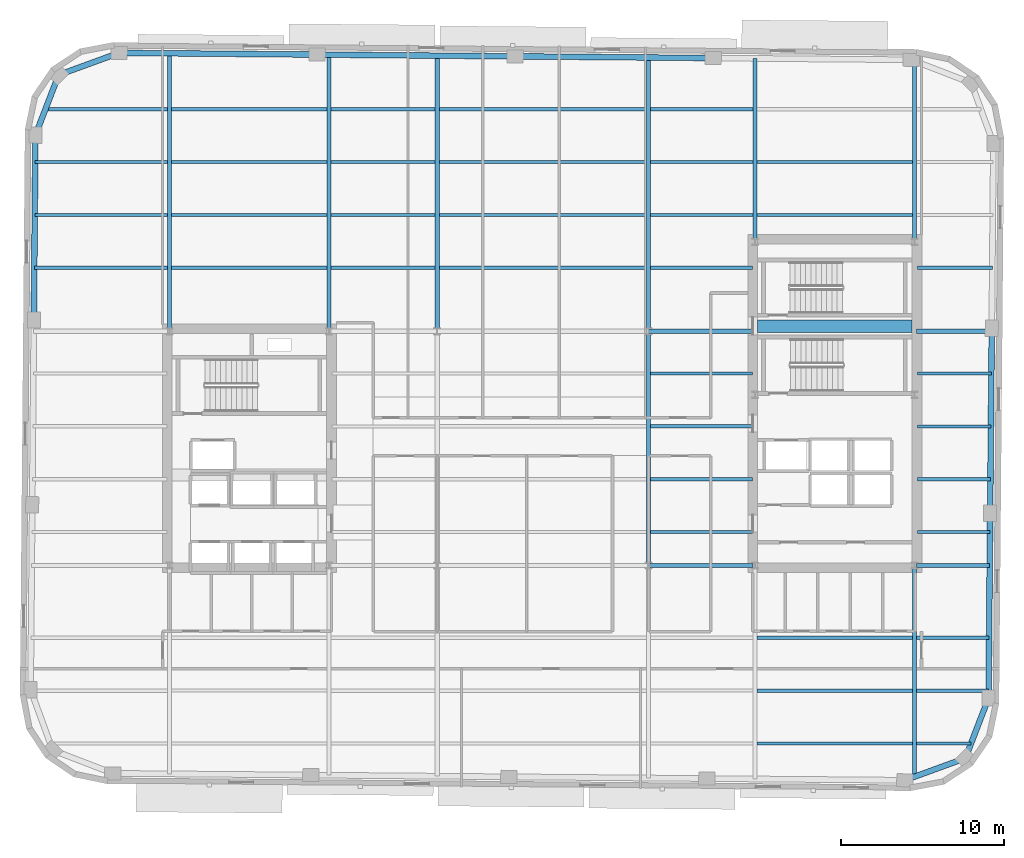
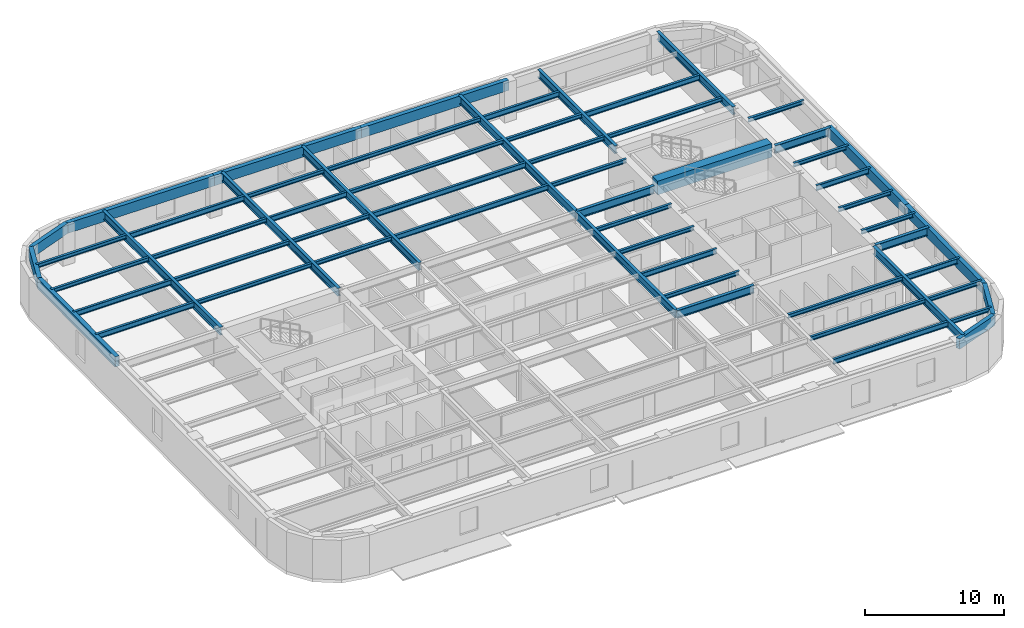
# One storey, part 2 of 11: 60 beams.
"""IFC4 building model written with IfcOpenShell, lengths in metres."""

from ifc_helpers import new_model, si_unit, direction, frame, origin, origin_2d, place, context, subcontext, project, spatial, rectangle, hollow_rectangle, i_section, extrude, material, material_profile, profile_set, type_object, element, save


model = new_model("IFC4")

# Units and contexts
model_context = context("Model", 3, precision=1e-05, world=origin(), true_north=direction((0.0, 1.0)))
body_context = subcontext(model_context, "Body", "Model", "MODEL_VIEW")
ifc_project = project(units=[si_unit("LENGTHUNIT", "METRE"), si_unit("AREAUNIT", "SQUARE_METRE"), si_unit("VOLUMEUNIT", "CUBIC_METRE"), si_unit("PLANEANGLEUNIT", "RADIAN"), si_unit("MASSUNIT", "GRAM", prefix="KILO")], contexts=[model_context])

# Site, building, storey
site_placement = place(None, origin())
site = spatial("IfcSite", under=ifc_project, at=site_placement, CompositionType="ELEMENT")
building_placement = place(site_placement, origin())
building = spatial("IfcBuilding", under=site, at=building_placement, Name="Kolvaren Arena Tower", CompositionType="ELEMENT")
storey_placement = place(building_placement, frame((0.0, 0.0, 184.699951171875)))
storey = spatial("IfcBuildingStorey", under=building, at=storey_placement, Name="L44", CompositionType="ELEMENT", Elevation=184.699951171875)

# Beams
ifc_material_1 = material(Name="Steel CSA G40.21 350W", Category="steel")
ifc_material_profile_1 = material_profile(ifc_material_1, i_section(OverallWidth=0.193115234375, OverallDepth=0.462890625, WebThickness=0.0107421875, FlangeThickness=0.0205078125, FilletRadius=0.012939453125, at=origin_2d()), Name="W460x113")
ifc_profile_set_1 = profile_set([ifc_material_profile_1], Name="Steel CSA G40.21 350W")
beam_type_1 = type_object("IfcBeamType", Name="BEAM-F2", PredefinedType="BEAM", material=ifc_profile_set_1)
beam_1_placement = place(storey_placement, frame((50.677490234375, 8.5, 3.24853515625), z_axis=(1.0, 0.0, 0.0), x_axis=(0.0, 1.0, 0.0)))
element("IfcBeam", 1, at=beam_1_placement, inside=storey, type_object=beam_type_1, Name="Composite Floor Beam (L44)", PredefinedType="BEAM", context=body_context, shape_type="SweptSolid", body=[
    extrude(i_section(OverallWidth=0.193115234375, OverallDepth=0.462890625, WebThickness=0.0107421875, FlangeThickness=0.0205078125, FilletRadius=0.012939453125, at=origin_2d()), origin(), (0.0, 0.0, 1.0), 9.544921875),
])
beam_2_placement = place(storey_placement, frame((60.4775390625, 15.0, 3.24853515625), z_axis=(1.0, 0.0, 0.0), x_axis=(0.0, 1.0, 0.0)))
element("IfcBeam", 2, at=beam_2_placement, inside=storey, type_object=beam_type_1, Name="Composite Floor Beam (L44)", PredefinedType="BEAM", context=body_context, shape_type="SweptSolid", body=[
    extrude(i_section(OverallWidth=0.193115234375, OverallDepth=0.462890625, WebThickness=0.0107421875, FlangeThickness=0.0205078125, FilletRadius=0.012939453125, at=origin_2d()), origin(), (0.0, 0.0, 1.0), 4.454833984375),
])
beam_3_placement = place(storey_placement, frame((44.12744140625, 24.75, 3.24853515625), z_axis=(1.0, 0.0, 0.0), x_axis=(0.0, 1.0, 0.0)))
element("IfcBeam", 3, at=beam_3_placement, inside=storey, type_object=beam_type_1, Name="Composite Floor Beam (L44)", PredefinedType="BEAM", context=body_context, shape_type="SweptSolid", body=[
    extrude(i_section(OverallWidth=0.193115234375, OverallDepth=0.462890625, WebThickness=0.0107421875, FlangeThickness=0.0205078125, FilletRadius=0.012939453125, at=origin_2d()), origin(), (0.0, 0.0, 1.0), 6.25244140625),
])
beam_4_placement = place(storey_placement, frame((60.52001953125, 28.0, 3.24853515625), z_axis=(1.0, 0.0, 0.0), x_axis=(0.0, 1.0, 0.0)))
element("IfcBeam", 4, at=beam_4_placement, inside=storey, type_object=beam_type_1, Name="Composite Floor Beam (L44)", PredefinedType="BEAM", context=body_context, shape_type="SweptSolid", body=[
    extrude(i_section(OverallWidth=0.193115234375, OverallDepth=0.462890625, WebThickness=0.0107421875, FlangeThickness=0.0205078125, FilletRadius=0.012939453125, at=origin_2d()), origin(), (0.0, 0.0, 1.0), 4.52587890625),
])
beam_5_placement = place(storey_placement, frame((6.228759765625, 37.75, 3.24853515625), z_axis=(1.0, 0.0, 0.0), x_axis=(0.0, 1.0, 0.0)))
element("IfcBeam", 5, at=beam_5_placement, inside=storey, type_object=beam_type_1, Name="Composite Floor Beam (L44)", PredefinedType="BEAM", context=body_context, shape_type="SweptSolid", body=[
    extrude(i_section(OverallWidth=0.193115234375, OverallDepth=0.462890625, WebThickness=0.0107421875, FlangeThickness=0.0205078125, FilletRadius=0.012939453125, at=origin_2d()), origin(), (0.0, 0.0, 1.0), 8.19384765625),
])
beam_6_placement = place(storey_placement, frame((31.12744140625, 37.75, 3.24853515625), z_axis=(1.0, 0.0, 0.0), x_axis=(0.0, 1.0, 0.0)))
element("IfcBeam", 6, at=beam_6_placement, inside=storey, type_object=beam_type_1, Name="Composite Floor Beam (L44)", PredefinedType="BEAM", context=body_context, shape_type="SweptSolid", body=[
    extrude(i_section(OverallWidth=0.193115234375, OverallDepth=0.462890625, WebThickness=0.0107421875, FlangeThickness=0.0205078125, FilletRadius=0.012939453125, at=origin_2d()), origin(), (0.0, 0.0, 1.0), 12.7451171875),
])
beam_7_placement = place(storey_placement, frame((6.257080078125, 41.0, 3.24853515625), z_axis=(1.0, 0.0, 0.0), x_axis=(0.0, 1.0, 0.0)))
element("IfcBeam", 7, at=beam_7_placement, inside=storey, type_object=beam_type_1, Name="Composite Floor Beam (L44)", PredefinedType="BEAM", context=body_context, shape_type="SweptSolid", body=[
    extrude(i_section(OverallWidth=0.193115234375, OverallDepth=0.462890625, WebThickness=0.0107421875, FlangeThickness=0.0205078125, FilletRadius=0.012939453125, at=origin_2d()), origin(), (0.0, 0.0, 1.0), 8.16552734375),
])
beam_8_placement = place(storey_placement, frame((31.12744140625, 41.0, 3.24853515625), z_axis=(1.0, 0.0, 0.0), x_axis=(0.0, 1.0, 0.0)))
element("IfcBeam", 8, at=beam_8_placement, inside=storey, type_object=beam_type_1, Name="Composite Floor Beam (L44)", PredefinedType="BEAM", context=body_context, shape_type="SweptSolid", body=[
    extrude(i_section(OverallWidth=0.193115234375, OverallDepth=0.462890625, WebThickness=0.0107421875, FlangeThickness=0.0205078125, FilletRadius=0.012939453125, at=origin_2d()), origin(), (0.0, 0.0, 1.0), 12.7451171875),
])
beam_9_placement = place(storey_placement, frame((24.4775390625, 44.25, 3.24853515625), z_axis=(1.0, 0.0, 0.0), x_axis=(0.0, 1.0, 0.0)))
element("IfcBeam", 9, at=beam_9_placement, inside=storey, type_object=beam_type_1, Name="Composite Floor Beam (L44)", PredefinedType="BEAM", context=body_context, shape_type="SweptSolid", body=[
    extrude(i_section(OverallWidth=0.193115234375, OverallDepth=0.462890625, WebThickness=0.0107421875, FlangeThickness=0.0205078125, FilletRadius=0.012939453125, at=origin_2d()), origin(), (0.0, 0.0, 1.0), 6.39501953125),
])
for number, where, z_axis, x_axis, name in (
    (10, (50.677490234375, 44.25, 3.24853515625), (1.0, 0.0, 0.0), (0.0, 1.0, 0.0), "Composite Floor Beam (L44)"),
    (11, (14.677490234375, 47.5, 3.24853515625), (1.0, 0.0, 0.0), (0.0, 1.0, 0.0), "Composite Floor Beam (L44)"),
):
    element("IfcBeam", number, at=place(storey_placement, frame(where, z_axis=z_axis, x_axis=x_axis)), inside=storey, type_object=beam_type_1, Name=name, PredefinedType="BEAM", context=body_context, shape_type="SweptSolid", body=[
        extrude(i_section(OverallWidth=0.193115234375, OverallDepth=0.462890625, WebThickness=0.0107421875, FlangeThickness=0.0205078125, FilletRadius=0.012939453125, at=origin_2d()), origin(), (0.0, 0.0, 1.0), 9.544921875),
    ])
beam_10_placement = place(storey_placement, frame((44.12744140625, 47.5, 3.24853515625), z_axis=(1.0, 0.0, 0.0), x_axis=(0.0, 1.0, 0.0)))
element("IfcBeam", 12, at=beam_10_placement, inside=storey, type_object=beam_type_1, Name="Composite Floor Beam (L44)", PredefinedType="BEAM", context=body_context, shape_type="SweptSolid", body=[
    extrude(i_section(OverallWidth=0.193115234375, OverallDepth=0.462890625, WebThickness=0.0107421875, FlangeThickness=0.0205078125, FilletRadius=0.012939453125, at=origin_2d()), origin(), (0.0, 0.0, 1.0), 6.295166015625),
])
ifc_material_2 = material(Name="Concrete 60 MPa", Category="concrete")
ifc_material_profile_2 = material_profile(ifc_material_2, rectangle(XDim=0.75, YDim=1.199951171875, at=origin_2d()), Name="RC-750x1200")
ifc_profile_set_2 = profile_set([ifc_material_profile_2], Name="Concrete 60 MPa")
beam_type_2 = type_object("IfcBeamType", Name="CB-CORE-2", PredefinedType="BEAM", material=ifc_profile_set_2)
beam_11_placement = place(storey_placement, frame((50.699951171875, 34.14990234375, 3.150146484375), z_axis=(1.0, 0.0, 0.0), x_axis=(0.0, 1.0, 0.0)))
element("IfcBeam", 13, at=beam_11_placement, inside=storey, type_object=beam_type_2, Name="East Core Coupling Beam (L44)", PredefinedType="BEAM", context=body_context, shape_type="SweptSolid", body=[
    extrude(rectangle(XDim=0.75, YDim=1.199951171875, at=origin_2d()), origin(), (0.0, 0.0, 1.0), 9.5),
])
ifc_material_profile_3 = material_profile(ifc_material_1, i_section(OverallWidth=0.2548828125, OverallDepth=0.695068359375, WebThickness=0.01708984375, FlangeThickness=0.02978515625, FilletRadius=0.01611328125, at=origin_2d()), Name="W690x217")
ifc_profile_set_3 = profile_set([ifc_material_profile_3], Name="Steel CSA G40.21 350W")
beam_type_3 = type_object("IfcBeamType", Name="GIRD-T2", PredefinedType="BEAM", material=ifc_profile_set_3)
beam_12_placement = place(storey_placement, frame((44.0, 19.449951171875, 3.132568359375), z_axis=(1.0, 0.0, 0.0), x_axis=(0.0, 1.0, 0.0)))
element("IfcBeam", 14, at=beam_12_placement, inside=storey, type_object=beam_type_3, Name="Primary Floor Girder (L44)", PredefinedType="BEAM", context=body_context, shape_type="SweptSolid", body=[
    extrude(i_section(OverallWidth=0.2548828125, OverallDepth=0.695068359375, WebThickness=0.01708984375, FlangeThickness=0.02978515625, FilletRadius=0.01611328125, at=origin_2d()), origin(), (0.0, 0.0, 1.0), 6.419921875),
])
beam_13_placement = place(storey_placement, frame((60.47998046875, 19.449951171875, 3.132568359375), z_axis=(1.0, 0.0, 0.0), x_axis=(0.0, 1.0, 0.0)))
element("IfcBeam", 15, at=beam_13_placement, inside=storey, type_object=beam_type_3, Name="Primary Floor Girder (L44)", PredefinedType="BEAM", context=body_context, shape_type="SweptSolid", body=[
    extrude(i_section(OverallWidth=0.2548828125, OverallDepth=0.695068359375, WebThickness=0.01708984375, FlangeThickness=0.02978515625, FilletRadius=0.01611328125, at=origin_2d()), origin(), (0.0, 0.0, 1.0), 4.4912109375),
])
beam_14_placement = place(storey_placement, frame((44.0, 33.85009765625, 3.132568359375), z_axis=(1.0, 0.0, 0.0), x_axis=(0.0, 1.0, 0.0)))
element("IfcBeam", 16, at=beam_14_placement, inside=storey, type_object=beam_type_3, Name="Primary Floor Girder (L44)", PredefinedType="BEAM", context=body_context, shape_type="SweptSolid", body=[
    extrude(i_section(OverallWidth=0.2548828125, OverallDepth=0.695068359375, WebThickness=0.01708984375, FlangeThickness=0.02978515625, FilletRadius=0.01611328125, at=origin_2d()), origin(), (0.0, 0.0, 1.0), 6.419921875),
])
beam_15_placement = place(storey_placement, frame((60.47998046875, 33.85009765625, 3.132568359375), z_axis=(1.0, 0.0, 0.0), x_axis=(0.0, 1.0, 0.0)))
element("IfcBeam", 17, at=beam_15_placement, inside=storey, type_object=beam_type_3, Name="Primary Floor Girder (L44)", PredefinedType="BEAM", context=body_context, shape_type="SweptSolid", body=[
    extrude(i_section(OverallWidth=0.2548828125, OverallDepth=0.695068359375, WebThickness=0.01708984375, FlangeThickness=0.02978515625, FilletRadius=0.01611328125, at=origin_2d()), origin(), (0.0, 0.0, 1.0), 4.616943359375),
])
beam_16_placement = place(storey_placement, frame((14.550048828125, 33.97998046875, 3.132568359375), z_axis=(0.0, 1.0, 0.0), x_axis=(-1.0, 0.0, 0.0)))
element("IfcBeam", 18, at=beam_16_placement, inside=storey, type_object=beam_type_3, Name="Primary Floor Girder (L44)", PredefinedType="BEAM", context=body_context, shape_type="SweptSolid", body=[
    extrude(i_section(OverallWidth=0.2548828125, OverallDepth=0.695068359375, WebThickness=0.01708984375, FlangeThickness=0.02978515625, FilletRadius=0.01611328125, at=origin_2d()), origin(), (0.0, 0.0, 1.0), 16.95458984375),
])
beam_17_placement = place(storey_placement, frame((24.35009765625, 33.97998046875, 3.132568359375), z_axis=(0.0, 1.0, 0.0), x_axis=(-1.0, 0.0, 0.0)))
element("IfcBeam", 19, at=beam_17_placement, inside=storey, type_object=beam_type_3, Name="Primary Floor Girder (L44)", PredefinedType="BEAM", context=body_context, shape_type="SweptSolid", body=[
    extrude(i_section(OverallWidth=0.2548828125, OverallDepth=0.695068359375, WebThickness=0.01708984375, FlangeThickness=0.02978515625, FilletRadius=0.01611328125, at=origin_2d()), origin(), (0.0, 0.0, 1.0), 16.869140625),
])
beam_18_placement = place(storey_placement, frame((31.0, 33.85009765625, 3.132568359375), z_axis=(0.0, 1.0, 0.0), x_axis=(-1.0, 0.0, 0.0)))
element("IfcBeam", 20, at=beam_18_placement, inside=storey, type_object=beam_type_3, Name="Primary Floor Girder (L44)", PredefinedType="BEAM", context=body_context, shape_type="SweptSolid", body=[
    extrude(i_section(OverallWidth=0.2548828125, OverallDepth=0.695068359375, WebThickness=0.01708984375, FlangeThickness=0.02978515625, FilletRadius=0.01611328125, at=origin_2d()), origin(), (0.0, 0.0, 1.0), 16.94091796875),
])
beam_19_placement = place(storey_placement, frame((44.0, 19.449951171875, 3.132568359375), z_axis=(0.0, 1.0, 0.0), x_axis=(-1.0, 0.0, 0.0)))
element("IfcBeam", 21, at=beam_19_placement, inside=storey, type_object=beam_type_3, Name="Primary Floor Girder (L44)", PredefinedType="BEAM", context=body_context, shape_type="SweptSolid", body=[
    extrude(i_section(OverallWidth=0.2548828125, OverallDepth=0.695068359375, WebThickness=0.01708984375, FlangeThickness=0.02978515625, FilletRadius=0.01611328125, at=origin_2d()), origin(), (0.0, 0.0, 1.0), 14.400146484375),
])
beam_20_placement = place(storey_placement, frame((44.0, 33.85009765625, 3.132568359375), z_axis=(0.0, 1.0, 0.0), x_axis=(-1.0, 0.0, 0.0)))
element("IfcBeam", 22, at=beam_20_placement, inside=storey, type_object=beam_type_3, Name="Primary Floor Girder (L44)", PredefinedType="BEAM", context=body_context, shape_type="SweptSolid", body=[
    extrude(i_section(OverallWidth=0.2548828125, OverallDepth=0.695068359375, WebThickness=0.01708984375, FlangeThickness=0.02978515625, FilletRadius=0.01611328125, at=origin_2d()), origin(), (0.0, 0.0, 1.0), 16.827392578125),
])
beam_21_placement = place(storey_placement, frame((50.550048828125, 39.47998046875, 3.132568359375), z_axis=(0.0, 1.0, 0.0), x_axis=(-1.0, 0.0, 0.0)))
element("IfcBeam", 23, at=beam_21_placement, inside=storey, type_object=beam_type_3, Name="Primary Floor Girder (L44)", PredefinedType="BEAM", context=body_context, shape_type="SweptSolid", body=[
    extrude(i_section(OverallWidth=0.2548828125, OverallDepth=0.695068359375, WebThickness=0.01708984375, FlangeThickness=0.02978515625, FilletRadius=0.01611328125, at=origin_2d()), origin(), (0.0, 0.0, 1.0), 11.140380859375),
])
beam_22_placement = place(storey_placement, frame((60.35009765625, 6.455322265625, 3.132568359375), z_axis=(0.0, 1.0, 0.0), x_axis=(-1.0, 0.0, 0.0)))
element("IfcBeam", 24, at=beam_22_placement, inside=storey, type_object=beam_type_3, Name="Primary Floor Girder (L44)", PredefinedType="BEAM", context=body_context, shape_type="SweptSolid", body=[
    extrude(i_section(OverallWidth=0.2548828125, OverallDepth=0.695068359375, WebThickness=0.01708984375, FlangeThickness=0.02978515625, FilletRadius=0.01611328125, at=origin_2d()), origin(), (0.0, 0.0, 1.0), 12.86474609375),
])
beam_23_placement = place(storey_placement, frame((60.35009765625, 39.47998046875, 3.132568359375), z_axis=(0.0, 1.0, 0.0), x_axis=(-1.0, 0.0, 0.0)))
element("IfcBeam", 25, at=beam_23_placement, inside=storey, type_object=beam_type_3, Name="Primary Floor Girder (L44)", PredefinedType="BEAM", context=body_context, shape_type="SweptSolid", body=[
    extrude(i_section(OverallWidth=0.2548828125, OverallDepth=0.695068359375, WebThickness=0.01708984375, FlangeThickness=0.02978515625, FilletRadius=0.01611328125, at=origin_2d()), origin(), (0.0, 0.0, 1.0), 10.976806640625),
])
ifc_material_profile_4 = material_profile(ifc_material_1, i_section(OverallWidth=0.202880859375, OverallDepth=0.346923828125, WebThickness=0.0078125, FlangeThickness=0.013427734375, FilletRadius=0.010986328125, at=origin_2d()), Name="W360x64")
ifc_profile_set_4 = profile_set([ifc_material_profile_4], Name="Steel CSA G40.21 350W")
beam_type_4 = type_object("IfcBeamType", Name="JOIST-01", PredefinedType="JOIST", material=ifc_profile_set_4)
beam_24_placement = place(storey_placement, frame((60.4775390625, 8.5, 3.306640625), z_axis=(1.0, 0.0, 0.0), x_axis=(0.0, 1.0, 0.0)))
element("IfcBeam", 26, at=beam_24_placement, inside=storey, type_object=beam_type_4, Name="Composite Floor Joist (L44)", PredefinedType="JOIST", context=body_context, shape_type="SweptSolid", body=[
    extrude(i_section(OverallWidth=0.202880859375, OverallDepth=0.346923828125, WebThickness=0.0078125, FlangeThickness=0.013427734375, FilletRadius=0.010986328125, at=origin_2d()), origin(), (0.0, 0.0, 1.0), 3.3466796875),
])
beam_25_placement = place(storey_placement, frame((50.677490234375, 11.75, 3.306640625), z_axis=(1.0, 0.0, 0.0), x_axis=(0.0, 1.0, 0.0)))
element("IfcBeam", 27, at=beam_25_placement, inside=storey, type_object=beam_type_4, Name="Composite Floor Joist (L44)", PredefinedType="JOIST", context=body_context, shape_type="SweptSolid", body=[
    extrude(i_section(OverallWidth=0.202880859375, OverallDepth=0.346923828125, WebThickness=0.0078125, FlangeThickness=0.013427734375, FilletRadius=0.010986328125, at=origin_2d()), origin(), (0.0, 0.0, 1.0), 9.544921875),
])
beam_26_placement = place(storey_placement, frame((60.4775390625, 11.75, 3.306640625), z_axis=(1.0, 0.0, 0.0), x_axis=(0.0, 1.0, 0.0)))
element("IfcBeam", 28, at=beam_26_placement, inside=storey, type_object=beam_type_4, Name="Composite Floor Joist (L44)", PredefinedType="JOIST", context=body_context, shape_type="SweptSolid", body=[
    extrude(i_section(OverallWidth=0.202880859375, OverallDepth=0.346923828125, WebThickness=0.0078125, FlangeThickness=0.013427734375, FilletRadius=0.010986328125, at=origin_2d()), origin(), (0.0, 0.0, 1.0), 4.426513671875),
])
beam_27_placement = place(storey_placement, frame((50.677490234375, 15.0, 3.306640625), z_axis=(1.0, 0.0, 0.0), x_axis=(0.0, 1.0, 0.0)))
element("IfcBeam", 29, at=beam_27_placement, inside=storey, type_object=beam_type_4, Name="Composite Floor Joist (L44)", PredefinedType="JOIST", context=body_context, shape_type="SweptSolid", body=[
    extrude(i_section(OverallWidth=0.202880859375, OverallDepth=0.346923828125, WebThickness=0.0078125, FlangeThickness=0.013427734375, FilletRadius=0.010986328125, at=origin_2d()), origin(), (0.0, 0.0, 1.0), 9.544921875),
])
beam_28_placement = place(storey_placement, frame((44.12744140625, 21.5, 3.306640625), z_axis=(1.0, 0.0, 0.0), x_axis=(0.0, 1.0, 0.0)))
element("IfcBeam", 30, at=beam_28_placement, inside=storey, type_object=beam_type_4, Name="Composite Floor Joist (L44)", PredefinedType="JOIST", context=body_context, shape_type="SweptSolid", body=[
    extrude(i_section(OverallWidth=0.202880859375, OverallDepth=0.346923828125, WebThickness=0.0078125, FlangeThickness=0.013427734375, FilletRadius=0.010986328125, at=origin_2d()), origin(), (0.0, 0.0, 1.0), 6.25244140625),
])
beam_29_placement = place(storey_placement, frame((60.52001953125, 21.5, 3.306640625), z_axis=(1.0, 0.0, 0.0), x_axis=(0.0, 1.0, 0.0)))
element("IfcBeam", 31, at=beam_29_placement, inside=storey, type_object=beam_type_4, Name="Composite Floor Joist (L44)", PredefinedType="JOIST", context=body_context, shape_type="SweptSolid", body=[
    extrude(i_section(OverallWidth=0.202880859375, OverallDepth=0.346923828125, WebThickness=0.0078125, FlangeThickness=0.013427734375, FilletRadius=0.010986328125, at=origin_2d()), origin(), (0.0, 0.0, 1.0), 4.46923828125),
])
beam_30_placement = place(storey_placement, frame((60.52001953125, 24.75, 3.306640625), z_axis=(1.0, 0.0, 0.0), x_axis=(0.0, 1.0, 0.0)))
element("IfcBeam", 32, at=beam_30_placement, inside=storey, type_object=beam_type_4, Name="Composite Floor Joist (L44)", PredefinedType="JOIST", context=body_context, shape_type="SweptSolid", body=[
    extrude(i_section(OverallWidth=0.202880859375, OverallDepth=0.346923828125, WebThickness=0.0078125, FlangeThickness=0.013427734375, FilletRadius=0.010986328125, at=origin_2d()), origin(), (0.0, 0.0, 1.0), 4.49755859375),
])
for number, where, z_axis, x_axis, name in (
    (33, (44.12744140625, 28.0, 3.306640625), (1.0, 0.0, 0.0), (0.0, 1.0, 0.0), "Composite Floor Joist (L44)"),
    (34, (44.12744140625, 31.25, 3.306640625), (1.0, 0.0, 0.0), (0.0, 1.0, 0.0), "Composite Floor Joist (L44)"),
):
    element("IfcBeam", number, at=place(storey_placement, frame(where, z_axis=z_axis, x_axis=x_axis)), inside=storey, type_object=beam_type_4, Name=name, PredefinedType="JOIST", context=body_context, shape_type="SweptSolid", body=[
        extrude(i_section(OverallWidth=0.202880859375, OverallDepth=0.346923828125, WebThickness=0.0078125, FlangeThickness=0.013427734375, FilletRadius=0.010986328125, at=origin_2d()), origin(), (0.0, 0.0, 1.0), 6.25244140625),
    ])
beam_31_placement = place(storey_placement, frame((60.52001953125, 31.25, 3.306640625), z_axis=(1.0, 0.0, 0.0), x_axis=(0.0, 1.0, 0.0)))
element("IfcBeam", 35, at=beam_31_placement, inside=storey, type_object=beam_type_4, Name="Composite Floor Joist (L44)", PredefinedType="JOIST", context=body_context, shape_type="SweptSolid", body=[
    extrude(i_section(OverallWidth=0.202880859375, OverallDepth=0.346923828125, WebThickness=0.0078125, FlangeThickness=0.013427734375, FilletRadius=0.010986328125, at=origin_2d()), origin(), (0.0, 0.0, 1.0), 4.55419921875),
])
beam_32_placement = place(storey_placement, frame((14.677490234375, 37.75, 3.306640625), z_axis=(1.0, 0.0, 0.0), x_axis=(0.0, 1.0, 0.0)))
element("IfcBeam", 36, at=beam_32_placement, inside=storey, type_object=beam_type_4, Name="Composite Floor Joist (L44)", PredefinedType="JOIST", context=body_context, shape_type="SweptSolid", body=[
    extrude(i_section(OverallWidth=0.202880859375, OverallDepth=0.346923828125, WebThickness=0.0078125, FlangeThickness=0.013427734375, FilletRadius=0.010986328125, at=origin_2d()), origin(), (0.0, 0.0, 1.0), 9.544921875),
])
beam_33_placement = place(storey_placement, frame((24.4775390625, 37.75, 3.306640625), z_axis=(1.0, 0.0, 0.0), x_axis=(0.0, 1.0, 0.0)))
element("IfcBeam", 37, at=beam_33_placement, inside=storey, type_object=beam_type_4, Name="Composite Floor Joist (L44)", PredefinedType="JOIST", context=body_context, shape_type="SweptSolid", body=[
    extrude(i_section(OverallWidth=0.202880859375, OverallDepth=0.346923828125, WebThickness=0.0078125, FlangeThickness=0.013427734375, FilletRadius=0.010986328125, at=origin_2d()), origin(), (0.0, 0.0, 1.0), 6.39501953125),
])
beam_34_placement = place(storey_placement, frame((44.12744140625, 37.75, 3.306640625), z_axis=(1.0, 0.0, 0.0), x_axis=(0.0, 1.0, 0.0)))
element("IfcBeam", 38, at=beam_34_placement, inside=storey, type_object=beam_type_4, Name="Composite Floor Joist (L44)", PredefinedType="JOIST", context=body_context, shape_type="SweptSolid", body=[
    extrude(i_section(OverallWidth=0.202880859375, OverallDepth=0.346923828125, WebThickness=0.0078125, FlangeThickness=0.013427734375, FilletRadius=0.010986328125, at=origin_2d()), origin(), (0.0, 0.0, 1.0), 6.25244140625),
])
beam_35_placement = place(storey_placement, frame((60.52001953125, 37.75, 3.306640625), z_axis=(1.0, 0.0, 0.0), x_axis=(0.0, 1.0, 0.0)))
element("IfcBeam", 39, at=beam_35_placement, inside=storey, type_object=beam_type_4, Name="Composite Floor Joist (L44)", PredefinedType="JOIST", context=body_context, shape_type="SweptSolid", body=[
    extrude(i_section(OverallWidth=0.202880859375, OverallDepth=0.346923828125, WebThickness=0.0078125, FlangeThickness=0.013427734375, FilletRadius=0.010986328125, at=origin_2d()), origin(), (0.0, 0.0, 1.0), 4.611083984375),
])
beam_36_placement = place(storey_placement, frame((14.677490234375, 41.0, 3.306640625), z_axis=(1.0, 0.0, 0.0), x_axis=(0.0, 1.0, 0.0)))
element("IfcBeam", 40, at=beam_36_placement, inside=storey, type_object=beam_type_4, Name="Composite Floor Joist (L44)", PredefinedType="JOIST", context=body_context, shape_type="SweptSolid", body=[
    extrude(i_section(OverallWidth=0.202880859375, OverallDepth=0.346923828125, WebThickness=0.0078125, FlangeThickness=0.013427734375, FilletRadius=0.010986328125, at=origin_2d()), origin(), (0.0, 0.0, 1.0), 9.544921875),
])
beam_37_placement = place(storey_placement, frame((24.4775390625, 41.0, 3.306640625), z_axis=(1.0, 0.0, 0.0), x_axis=(0.0, 1.0, 0.0)))
element("IfcBeam", 41, at=beam_37_placement, inside=storey, type_object=beam_type_4, Name="Composite Floor Joist (L44)", PredefinedType="JOIST", context=body_context, shape_type="SweptSolid", body=[
    extrude(i_section(OverallWidth=0.202880859375, OverallDepth=0.346923828125, WebThickness=0.0078125, FlangeThickness=0.013427734375, FilletRadius=0.010986328125, at=origin_2d()), origin(), (0.0, 0.0, 1.0), 6.39501953125),
])
beam_38_placement = place(storey_placement, frame((44.12744140625, 41.0, 3.306640625), z_axis=(1.0, 0.0, 0.0), x_axis=(0.0, 1.0, 0.0)))
element("IfcBeam", 42, at=beam_38_placement, inside=storey, type_object=beam_type_4, Name="Composite Floor Joist (L44)", PredefinedType="JOIST", context=body_context, shape_type="SweptSolid", body=[
    extrude(i_section(OverallWidth=0.202880859375, OverallDepth=0.346923828125, WebThickness=0.0078125, FlangeThickness=0.013427734375, FilletRadius=0.010986328125, at=origin_2d()), origin(), (0.0, 0.0, 1.0), 6.295166015625),
])
beam_39_placement = place(storey_placement, frame((50.677490234375, 41.0, 3.306640625), z_axis=(1.0, 0.0, 0.0), x_axis=(0.0, 1.0, 0.0)))
element("IfcBeam", 43, at=beam_39_placement, inside=storey, type_object=beam_type_4, Name="Composite Floor Joist (L44)", PredefinedType="JOIST", context=body_context, shape_type="SweptSolid", body=[
    extrude(i_section(OverallWidth=0.202880859375, OverallDepth=0.346923828125, WebThickness=0.0078125, FlangeThickness=0.013427734375, FilletRadius=0.010986328125, at=origin_2d()), origin(), (0.0, 0.0, 1.0), 9.544921875),
])
beam_40_placement = place(storey_placement, frame((6.285400390625, 44.25, 3.306640625), z_axis=(1.0, 0.0, 0.0), x_axis=(0.0, 1.0, 0.0)))
element("IfcBeam", 44, at=beam_40_placement, inside=storey, type_object=beam_type_4, Name="Composite Floor Joist (L44)", PredefinedType="JOIST", context=body_context, shape_type="SweptSolid", body=[
    extrude(i_section(OverallWidth=0.202880859375, OverallDepth=0.346923828125, WebThickness=0.0078125, FlangeThickness=0.013427734375, FilletRadius=0.010986328125, at=origin_2d()), origin(), (0.0, 0.0, 1.0), 8.13720703125),
])
beam_41_placement = place(storey_placement, frame((14.677490234375, 44.25, 3.306640625), z_axis=(1.0, 0.0, 0.0), x_axis=(0.0, 1.0, 0.0)))
element("IfcBeam", 45, at=beam_41_placement, inside=storey, type_object=beam_type_4, Name="Composite Floor Joist (L44)", PredefinedType="JOIST", context=body_context, shape_type="SweptSolid", body=[
    extrude(i_section(OverallWidth=0.202880859375, OverallDepth=0.346923828125, WebThickness=0.0078125, FlangeThickness=0.013427734375, FilletRadius=0.010986328125, at=origin_2d()), origin(), (0.0, 0.0, 1.0), 9.544921875),
])
beam_42_placement = place(storey_placement, frame((31.12744140625, 44.25, 3.306640625), z_axis=(1.0, 0.0, 0.0), x_axis=(0.0, 1.0, 0.0)))
element("IfcBeam", 46, at=beam_42_placement, inside=storey, type_object=beam_type_4, Name="Composite Floor Joist (L44)", PredefinedType="JOIST", context=body_context, shape_type="SweptSolid", body=[
    extrude(i_section(OverallWidth=0.202880859375, OverallDepth=0.346923828125, WebThickness=0.0078125, FlangeThickness=0.013427734375, FilletRadius=0.010986328125, at=origin_2d()), origin(), (0.0, 0.0, 1.0), 12.7451171875),
])
beam_43_placement = place(storey_placement, frame((44.12744140625, 44.25, 3.306640625), z_axis=(1.0, 0.0, 0.0), x_axis=(0.0, 1.0, 0.0)))
element("IfcBeam", 47, at=beam_43_placement, inside=storey, type_object=beam_type_4, Name="Composite Floor Joist (L44)", PredefinedType="JOIST", context=body_context, shape_type="SweptSolid", body=[
    extrude(i_section(OverallWidth=0.202880859375, OverallDepth=0.346923828125, WebThickness=0.0078125, FlangeThickness=0.013427734375, FilletRadius=0.010986328125, at=origin_2d()), origin(), (0.0, 0.0, 1.0), 6.295166015625),
])
beam_44_placement = place(storey_placement, frame((6.913818359375, 47.5, 3.306640625), z_axis=(1.0, 0.0, 0.0), x_axis=(0.0, 1.0, 0.0)))
element("IfcBeam", 48, at=beam_44_placement, inside=storey, type_object=beam_type_4, Name="Composite Floor Joist (L44)", PredefinedType="JOIST", context=body_context, shape_type="SweptSolid", body=[
    extrude(i_section(OverallWidth=0.202880859375, OverallDepth=0.346923828125, WebThickness=0.0078125, FlangeThickness=0.013427734375, FilletRadius=0.010986328125, at=origin_2d()), origin(), (0.0, 0.0, 1.0), 7.5087890625),
])
beam_45_placement = place(storey_placement, frame((24.4775390625, 47.5, 3.306640625), z_axis=(1.0, 0.0, 0.0), x_axis=(0.0, 1.0, 0.0)))
element("IfcBeam", 49, at=beam_45_placement, inside=storey, type_object=beam_type_4, Name="Composite Floor Joist (L44)", PredefinedType="JOIST", context=body_context, shape_type="SweptSolid", body=[
    extrude(i_section(OverallWidth=0.202880859375, OverallDepth=0.346923828125, WebThickness=0.0078125, FlangeThickness=0.013427734375, FilletRadius=0.010986328125, at=origin_2d()), origin(), (0.0, 0.0, 1.0), 6.39501953125),
])
beam_46_placement = place(storey_placement, frame((31.12744140625, 47.5, 3.306640625), z_axis=(1.0, 0.0, 0.0), x_axis=(0.0, 1.0, 0.0)))
element("IfcBeam", 50, at=beam_46_placement, inside=storey, type_object=beam_type_4, Name="Composite Floor Joist (L44)", PredefinedType="JOIST", context=body_context, shape_type="SweptSolid", body=[
    extrude(i_section(OverallWidth=0.202880859375, OverallDepth=0.346923828125, WebThickness=0.0078125, FlangeThickness=0.013427734375, FilletRadius=0.010986328125, at=origin_2d()), origin(), (0.0, 0.0, 1.0), 12.7451171875),
])
ifc_material_3 = material(Name="Steel CSA G40.21 350WT", Category="steel")
ifc_material_profile_5 = material_profile(ifc_material_3, hollow_rectangle(XDim=0.35009765625, YDim=0.89990234375, WallThickness=0.02001953125, at=origin_2d()), Name="HSS 900x350x20")
ifc_profile_set_5 = profile_set([ifc_material_profile_5], Name="Steel CSA G40.21 350WT")
beam_type_5 = type_object("IfcBeamType", Name="SPAND-01", PredefinedType="SPANDREL", material=ifc_profile_set_5)
for number, where, z_axis, x_axis, name in (
    (51, (59.755859375, 6.23828125, 3.030029296875), (0.939313819882, 0.343059102458, 0.0), (-0.343059102458, 0.939313819882, 0.0), "Perimeter Spandrel Beam (L44)"),
    (52, (63.4765625, 7.59716796875, 3.030029296875), (0.359383792094, 0.933189846698, 0.0), (-0.933189846698, 0.359383792094, 0.0), "Perimeter Spandrel Beam (L44)"),
):
    element("IfcBeam", number, at=place(storey_placement, frame(where, z_axis=z_axis, x_axis=x_axis)), inside=storey, type_object=beam_type_5, Name=name, PredefinedType="SPANDREL", context=body_context, shape_type="SweptSolid", body=[
        extrude(hollow_rectangle(XDim=0.35009765625, YDim=0.89990234375, WallThickness=0.02001953125, at=origin_2d()), origin(), (0.0, 0.0, 1.0), 3.961181640625),
    ])
for number, where, z_axis, x_axis, name in (
    (53, (64.900146484375, 11.293701171875, 3.030029296875), (0.008720348885, 0.999961977035, 0.0), (-0.999961977035, 0.008720348885, 0.0), "Perimeter Spandrel Beam (L44)"),
    (54, (64.999267578125, 22.659912109375, 3.030029296875), (0.008720348885, 0.999961977035, 0.0), (-0.999961977035, 0.008720348885, 0.0), "Perimeter Spandrel Beam (L44)"),
):
    element("IfcBeam", number, at=place(storey_placement, frame(where, z_axis=z_axis, x_axis=x_axis)), inside=storey, type_object=beam_type_5, Name=name, PredefinedType="SPANDREL", context=body_context, shape_type="SweptSolid", body=[
        extrude(hollow_rectangle(XDim=0.35009765625, YDim=0.89990234375, WallThickness=0.02001953125, at=origin_2d()), origin(), (0.0, 0.0, 1.0), 11.36669921875),
    ])
beam_47_placement = place(storey_placement, frame((47.9677734375, 50.642822265625, 3.030029296875), z_axis=(-0.999961779919, 0.008742922896, 0.0), x_axis=(-0.008742922896, -0.999961779919, 0.0)))
element("IfcBeam", 55, at=beam_47_placement, inside=storey, type_object=beam_type_5, Name="Perimeter Spandrel Beam (L44)", PredefinedType="SPANDREL", context=body_context, shape_type="SweptSolid", body=[
    extrude(hollow_rectangle(XDim=0.35009765625, YDim=0.89990234375, WallThickness=0.02001953125, at=origin_2d()), origin(), (0.0, 0.0, 1.0), 12.175048828125),
])
beam_48_placement = place(storey_placement, frame((35.793212890625, 50.749267578125, 3.030029296875), z_axis=(-0.999961953504, 0.008723046761, 0.0), x_axis=(-0.008723046761, -0.999961953504, 0.0)))
element("IfcBeam", 56, at=beam_48_placement, inside=storey, type_object=beam_type_5, Name="Perimeter Spandrel Beam (L44)", PredefinedType="SPANDREL", context=body_context, shape_type="SweptSolid", body=[
    extrude(hollow_rectangle(XDim=0.35009765625, YDim=0.89990234375, WallThickness=0.02001953125, at=origin_2d()), origin(), (0.0, 0.0, 1.0), 12.1748046875),
])
beam_49_placement = place(storey_placement, frame((23.618896484375, 50.85546875, 3.030029296875), z_axis=(-0.999961956555, 0.008722696942, 0.0), x_axis=(-0.008722696942, -0.999961956555, 0.0)))
element("IfcBeam", 57, at=beam_49_placement, inside=storey, type_object=beam_type_5, Name="Perimeter Spandrel Beam (L44)", PredefinedType="SPANDREL", context=body_context, shape_type="SweptSolid", body=[
    extrude(hollow_rectangle(XDim=0.35009765625, YDim=0.89990234375, WallThickness=0.02001953125, at=origin_2d()), origin(), (0.0, 0.0, 1.0), 12.17529296875),
])
for number, where, z_axis, x_axis, name in (
    (58, (11.444091796875, 50.961669921875, 3.030029296875), (-0.939313819882, -0.343059102458, 0.0), (0.343059102458, -0.939313819882, 0.0), "Perimeter Spandrel Beam (L44)"),
    (59, (7.723388671875, 49.602783203125, 3.030029296875), (-0.359383792094, -0.933189846698, 0.0), (0.933189846698, -0.359383792094, 0.0), "Perimeter Spandrel Beam (L44)"),
):
    element("IfcBeam", number, at=place(storey_placement, frame(where, z_axis=z_axis, x_axis=x_axis)), inside=storey, type_object=beam_type_5, Name=name, PredefinedType="SPANDREL", context=body_context, shape_type="SweptSolid", body=[
        extrude(hollow_rectangle(XDim=0.35009765625, YDim=0.89990234375, WallThickness=0.02001953125, at=origin_2d()), origin(), (0.0, 0.0, 1.0), 3.961181640625),
    ])
beam_50_placement = place(storey_placement, frame((6.2998046875, 45.90625, 3.030029296875), z_axis=(-0.008720348885, -0.999961977035, 0.0), x_axis=(0.999961977035, -0.008720348885, 0.0)))
element("IfcBeam", 60, at=beam_50_placement, inside=storey, type_object=beam_type_5, Name="Perimeter Spandrel Beam (L44)", PredefinedType="SPANDREL", context=body_context, shape_type="SweptSolid", body=[
    extrude(hollow_rectangle(XDim=0.35009765625, YDim=0.89990234375, WallThickness=0.02001953125, at=origin_2d()), origin(), (0.0, 0.0, 1.0), 11.36669921875),
])

save(model, "model.ifc")
